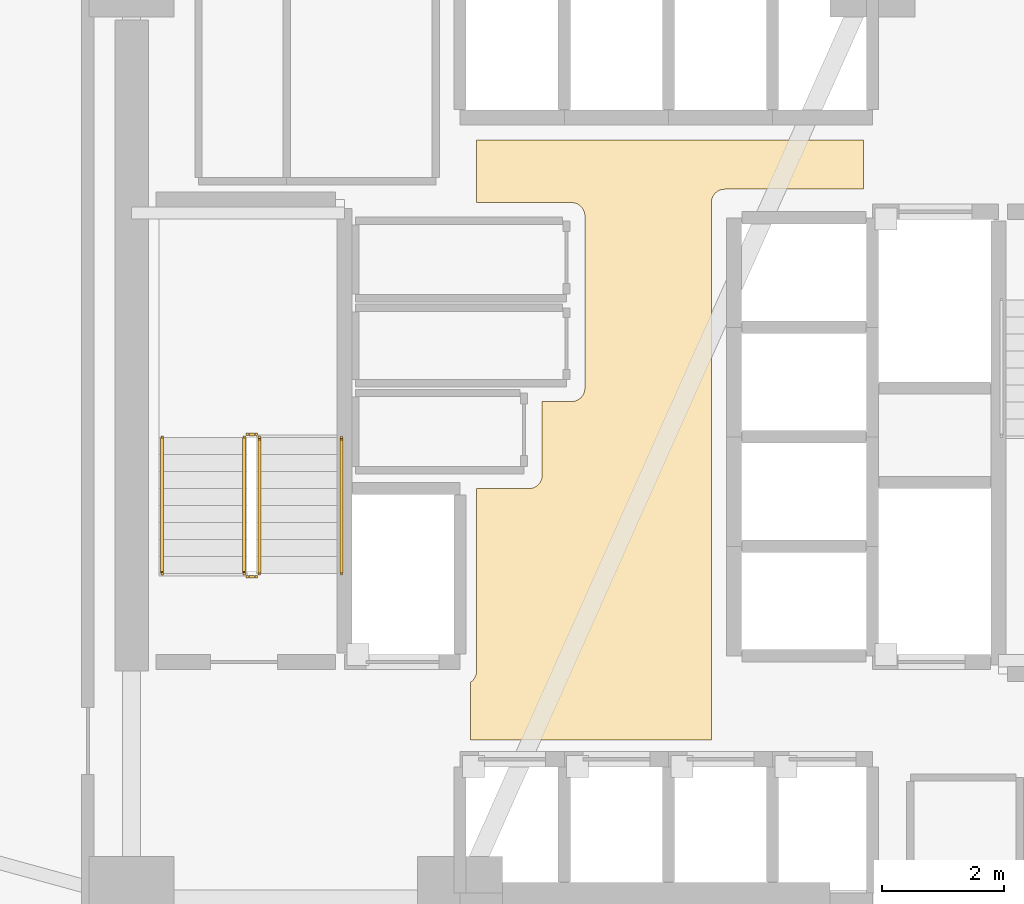
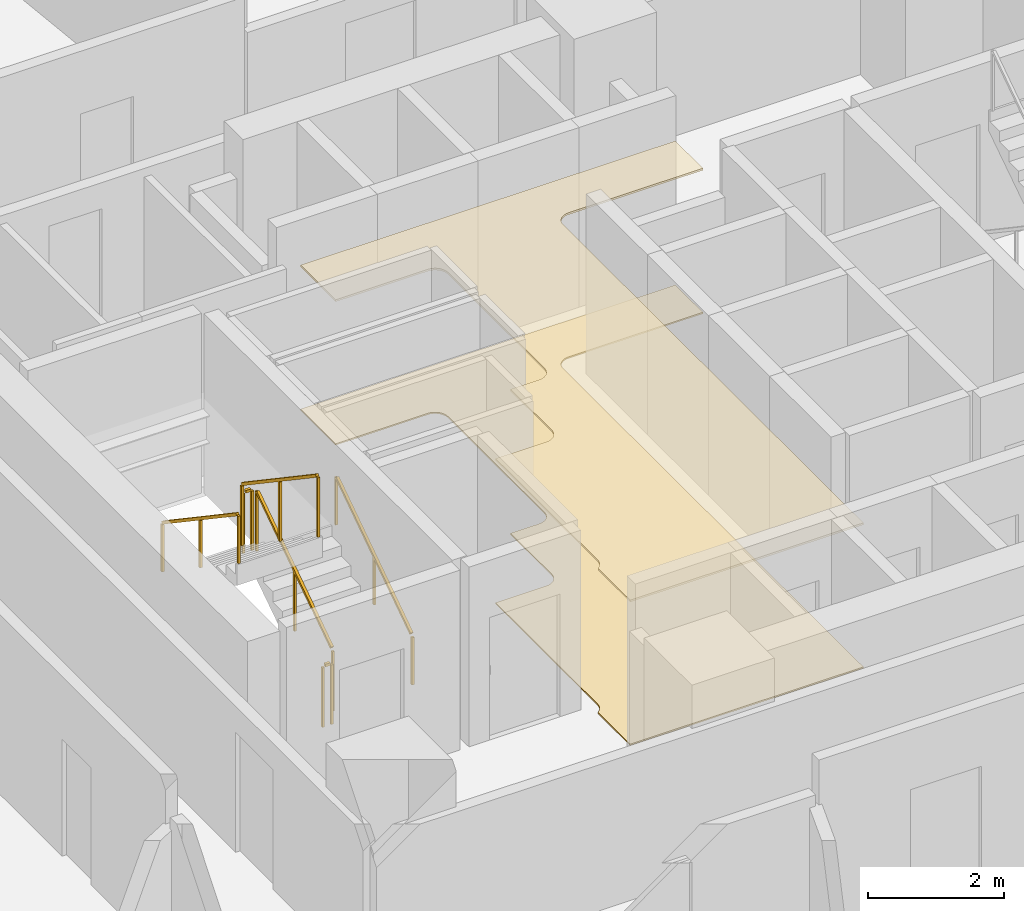
# One storey, part 15 of 18: 6 railings, 2 coverings.
"""IFC4 building model written with IfcOpenShell, lengths in metres."""

from ifc_helpers import new_model, si_unit, direction, frame, origin, origin_2d, place, context, subcontext, project, spatial, polyline, rectangle, outline, extrude, material, layer, layer_set, type_object, element, save


model = new_model("IFC4")

# Units and contexts
model_context = context("Model", 3, precision=1e-05, world=origin(), true_north=direction((0.0, 1.0)))
body_context = subcontext(model_context, "Body", "Model", "MODEL_VIEW")
ifc_project = project(units=[si_unit("LENGTHUNIT", "METRE"), si_unit("AREAUNIT", "SQUARE_METRE"), si_unit("VOLUMEUNIT", "CUBIC_METRE"), si_unit("PLANEANGLEUNIT", "RADIAN"), si_unit("MASSUNIT", "GRAM", prefix="KILO")], contexts=[model_context])

# Site, building, storey
site_placement = place(None, origin())
site = spatial("IfcSite", under=ifc_project, at=site_placement, CompositionType="ELEMENT")
building_placement = place(site_placement, origin())
building = spatial("IfcBuilding", under=site, at=building_placement, Name="Tharavind Bronze Gate", CompositionType="ELEMENT")
storey_placement = place(building_placement, frame((0.0, 0.0, 38.64990234375)))
storey = spatial("IfcBuildingStorey", under=building, at=storey_placement, Name="L08", CompositionType="ELEMENT", Elevation=38.64990234375)

# Coverings
ifc_material_1 = material(Name="Perforated Bronze Acoustic Panel", Category="bronze")
ifc_layer_1 = layer(ifc_material_1, 0.044921875)
ifc_layer_set_1 = layer_set([ifc_layer_1], Name="Perforated Bronze Acoustic Panel")
covering_type_1 = type_object("IfcCoveringType", Name="ACOUSTIC BRONZE BAFFLE CEILING", PredefinedType="CEILING", material=ifc_layer_set_1)
covering_1_placement = place(storey_placement, frame((0.0, 0.0, 2.5751953125)))
element("IfcCovering", 1, at=covering_1_placement, inside=storey, type_object=covering_type_1, Name="L08-C-LL suspended ceiling", PredefinedType="CEILING", context=body_context, shape_type="SweptSolid", body=[
    extrude(outline(polyline([(-3.330078125, -4.97998046875), (0.6298828125, -4.97998046875), (0.6298828125, 3.85009765625), (0.631103515625, 3.87158203125), (0.63427734375, 3.892822265625), (0.639404296875, 3.913818359375), (0.646728515625, 3.93408203125), (0.656005859375, 3.95361328125), (0.6669921875, 3.97216796875), (0.679931640625, 3.989501953125), (0.6943359375, 4.005615234375), (0.71044921875, 4.02001953125), (0.727783203125, 4.032958984375), (0.746337890625, 4.0439453125), (0.765869140625, 4.05322265625), (0.7861328125, 4.060546875), (0.80712890625, 4.06591796875), (0.828369140625, 4.06884765625), (0.85009765625, 4.070068359375), (3.1298828125, 4.070068359375), (3.1298828125, 4.8798828125), (-3.22998046875, 4.8798828125), (-3.22998046875, 3.85009765625), (-1.669921875, 3.85009765625), (-1.6484375, 3.848876953125), (-1.627197265625, 3.845703125), (-1.606201171875, 3.840576171875), (-1.585693359375, 3.833251953125), (-1.56640625, 3.823974609375), (-1.5478515625, 3.81298828125), (-1.530517578125, 3.800048828125), (-1.514404296875, 3.78564453125), (-1.5, 3.76953125), (-1.487060546875, 3.752197265625), (-1.47607421875, 3.733642578125), (-1.466796875, 3.714111328125), (-1.45947265625, 3.69384765625), (-1.4541015625, 3.6728515625), (-1.451171875, 3.651611328125), (-1.449951171875, 3.6298828125), (-1.449951171875, 0.800048828125), (-1.451171875, 0.7783203125), (-1.4541015625, 0.757080078125), (-1.45947265625, 0.736083984375), (-1.466796875, 0.7158203125), (-1.47607421875, 0.6962890625), (-1.487060546875, 0.677734375), (-1.5, 0.660400390625), (-1.514404296875, 0.644287109375), (-1.530517578125, 0.6298828125), (-1.5478515625, 0.6171875), (-1.56640625, 0.60595703125), (-1.585693359375, 0.5966796875), (-1.606201171875, 0.589599609375), (-1.627197265625, 0.584228515625), (-1.6484375, 0.5810546875), (-1.669921875, 0.580078125), (-2.14990234375, 0.580078125), (-2.14990234375, -0.6298828125), (-2.151123046875, -0.651611328125), (-2.154296875, -0.6728515625), (-2.159423828125, -0.69384765625), (-2.166748046875, -0.714111328125), (-2.176025390625, -0.733642578125), (-2.18701171875, -0.752197265625), (-2.199951171875, -0.76953125), (-2.21435546875, -0.78564453125), (-2.23046875, -0.800048828125), (-2.247802734375, -0.81298828125), (-2.266357421875, -0.823974609375), (-2.285888671875, -0.833251953125), (-2.30615234375, -0.840576171875), (-2.3271484375, -0.845703125), (-2.348388671875, -0.848876953125), (-2.3701171875, -0.85009765625), (-3.22998046875, -0.85009765625), (-3.22998046875, -3.85009765625), (-3.231201171875, -3.87158203125), (-3.234130859375, -3.892822265625), (-3.239501953125, -3.913818359375), (-3.24658203125, -3.93408203125), (-3.256103515625, -3.95361328125), (-3.26708984375, -3.97216796875), (-3.27978515625, -3.989501953125), (-3.29443359375, -4.005615234375), (-3.310302734375, -4.02001953125), (-3.327880859375, -4.032958984375), (-3.330078125, -4.0341796875), (-3.330078125, -4.97998046875)])), origin(), (0.0, 0.0, 1.0), 0.034912109375),
])
ifc_material_2 = material(Name="Honed Travertine Limestone", Category="masonry")
ifc_layer_2 = layer(ifc_material_2, 0.030029296875)
ifc_layer_set_2 = layer_set([ifc_layer_2], Name="Honed Travertine Limestone")
covering_type_2 = type_object("IfcCoveringType", Name="HONED LIMESTONE FLOORING", PredefinedType="FLOORING", material=ifc_layer_set_2)
covering_2_placement = place(storey_placement, origin())
element("IfcCovering", 2, at=covering_2_placement, inside=storey, type_object=covering_type_2, Name="L08-C-LL floor finish", PredefinedType="FLOORING", context=body_context, shape_type="SweptSolid", body=[
    extrude(outline(polyline([(-3.330078125, -4.97998046875), (0.6298828125, -4.97998046875), (0.6298828125, 3.85009765625), (0.631103515625, 3.87158203125), (0.63427734375, 3.892822265625), (0.639404296875, 3.913818359375), (0.646728515625, 3.93408203125), (0.656005859375, 3.95361328125), (0.6669921875, 3.97216796875), (0.679931640625, 3.989501953125), (0.6943359375, 4.005615234375), (0.71044921875, 4.02001953125), (0.727783203125, 4.032958984375), (0.746337890625, 4.0439453125), (0.765869140625, 4.05322265625), (0.7861328125, 4.060546875), (0.80712890625, 4.06591796875), (0.828369140625, 4.06884765625), (0.85009765625, 4.070068359375), (3.1298828125, 4.070068359375), (3.1298828125, 4.8798828125), (-3.22998046875, 4.8798828125), (-3.22998046875, 3.85009765625), (-1.669921875, 3.85009765625), (-1.6484375, 3.848876953125), (-1.627197265625, 3.845703125), (-1.606201171875, 3.840576171875), (-1.585693359375, 3.833251953125), (-1.56640625, 3.823974609375), (-1.5478515625, 3.81298828125), (-1.530517578125, 3.800048828125), (-1.514404296875, 3.78564453125), (-1.5, 3.76953125), (-1.487060546875, 3.752197265625), (-1.47607421875, 3.733642578125), (-1.466796875, 3.714111328125), (-1.45947265625, 3.69384765625), (-1.4541015625, 3.6728515625), (-1.451171875, 3.651611328125), (-1.449951171875, 3.6298828125), (-1.449951171875, 0.800048828125), (-1.451171875, 0.7783203125), (-1.4541015625, 0.757080078125), (-1.45947265625, 0.736083984375), (-1.466796875, 0.7158203125), (-1.47607421875, 0.6962890625), (-1.487060546875, 0.677734375), (-1.5, 0.660400390625), (-1.514404296875, 0.644287109375), (-1.530517578125, 0.6298828125), (-1.5478515625, 0.6171875), (-1.56640625, 0.60595703125), (-1.585693359375, 0.5966796875), (-1.606201171875, 0.589599609375), (-1.627197265625, 0.584228515625), (-1.6484375, 0.5810546875), (-1.669921875, 0.580078125), (-2.14990234375, 0.580078125), (-2.14990234375, -0.6298828125), (-2.151123046875, -0.651611328125), (-2.154296875, -0.6728515625), (-2.159423828125, -0.69384765625), (-2.166748046875, -0.714111328125), (-2.176025390625, -0.733642578125), (-2.18701171875, -0.752197265625), (-2.199951171875, -0.76953125), (-2.21435546875, -0.78564453125), (-2.23046875, -0.800048828125), (-2.247802734375, -0.81298828125), (-2.266357421875, -0.823974609375), (-2.285888671875, -0.833251953125), (-2.30615234375, -0.840576171875), (-2.3271484375, -0.845703125), (-2.348388671875, -0.848876953125), (-2.3701171875, -0.85009765625), (-3.22998046875, -0.85009765625), (-3.22998046875, -3.85009765625), (-3.231201171875, -3.87158203125), (-3.234130859375, -3.892822265625), (-3.239501953125, -3.913818359375), (-3.24658203125, -3.93408203125), (-3.256103515625, -3.95361328125), (-3.26708984375, -3.97216796875), (-3.27978515625, -3.989501953125), (-3.29443359375, -4.005615234375), (-3.310302734375, -4.02001953125), (-3.327880859375, -4.032958984375), (-3.330078125, -4.0341796875), (-3.330078125, -4.97998046875)])), origin(), (0.0, 0.0, 1.0), 0.025146484375),
])

# Railings
ifc_material_3 = material(Name="Brushed Bronze Alloy", Category="metal")
railing_type_1 = type_object("IfcRailingType", Name="STAIR BRONZE HANDRAIL 900", PredefinedType="HANDRAIL", material=ifc_material_3)
railing_1_placement = place(storey_placement, frame((-5.449951171875, -2.25, 0.18896484375)))
element("IfcRailing", 3, at=railing_1_placement, inside=storey, type_object=railing_type_1, Name="L08 ST1 stair handrail 1", PredefinedType="HANDRAIL", context=body_context, shape_type="SweptSolid", body=[
    extrude(rectangle(XDim=0.048095703125, YDim=0.048095703125, at=origin_2d()), frame((0.0, 0.026611328125, 0.893798828125), z_axis=(0.0, 0.828979582247, 0.559278868023), x_axis=(-1.0, 0.0, 0.0)), (0.0, 0.0, 1.0), 2.63818359375),
    extrude(rectangle(XDim=0.0400390625, YDim=0.0400390625, at=origin_2d()), origin(), (0.0, 0.0, 1.0), 0.847900390625),
    extrude(rectangle(XDim=0.0400390625, YDim=0.0400390625, at=origin_2d()), frame((0.0, 1.1201171875, 0.755615234375)), (0.0, 0.0, 1.0), 0.847900390625),
    extrude(rectangle(XDim=0.0400390625, YDim=0.0400390625, at=origin_2d()), frame((0.0, 2.239990234375, 1.51123046875)), (0.0, 0.0, 1.0), 0.847900390625),
])
railing_2_placement = place(storey_placement, frame((-8.39990234375, -0.010009765625, 1.888916015625)))
element("IfcRailing", 4, at=railing_2_placement, inside=storey, type_object=railing_type_1, Name="L08 ST1 stair handrail 2", PredefinedType="HANDRAIL", context=body_context, shape_type="SweptSolid", body=[
    extrude(rectangle(XDim=0.048095703125, YDim=0.048095703125, at=origin_2d()), frame((0.0, -0.026611328125, 0.893798828125), z_axis=(0.0, -0.828979582247, 0.559278868023), x_axis=(1.0, 0.0, 0.0)), (0.0, 0.0, 1.0), 2.63818359375),
    extrude(rectangle(XDim=0.0400390625, YDim=0.0400390625, at=origin_2d()), origin(), (0.0, 0.0, 1.0), 0.847900390625),
    extrude(rectangle(XDim=0.0400390625, YDim=0.0400390625, at=origin_2d()), frame((0.0, -1.1201171875, 0.755615234375)), (0.0, 0.0, 1.0), 0.847900390625),
    extrude(rectangle(XDim=0.0400390625, YDim=0.0400390625, at=origin_2d()), frame((0.0, -2.239990234375, 1.51123046875)), (0.0, 0.0, 1.0), 0.847900390625),
])
railing_type_2 = type_object("IfcRailingType", Name="STAIR WELL GUARD RAILING 1120", PredefinedType="GUARDRAIL", material=ifc_material_3)
railing_3_placement = place(storey_placement, frame((-6.800048828125, -2.25, 0.18896484375)))
element("IfcRailing", 5, at=railing_3_placement, inside=storey, type_object=railing_type_2, Name="L08 ST1 stair guard 1", PredefinedType="GUARDRAIL", context=body_context, shape_type="SweptSolid", body=[
    extrude(rectangle(XDim=0.048095703125, YDim=0.048095703125, at=origin_2d()), frame((0.0, 0.026611328125, 1.114013671875), z_axis=(0.0, 0.828979582247, 0.559278868023), x_axis=(-1.0, 0.0, 0.0)), (0.0, 0.0, 1.0), 2.63818359375),
    extrude(rectangle(XDim=0.0400390625, YDim=0.0400390625, at=origin_2d()), origin(), (0.0, 0.0, 1.0), 1.068115234375),
    extrude(rectangle(XDim=0.0400390625, YDim=0.0400390625, at=origin_2d()), frame((0.0, 1.1201171875, 0.755615234375)), (0.0, 0.0, 1.0), 1.068115234375),
    extrude(rectangle(XDim=0.0400390625, YDim=0.0400390625, at=origin_2d()), frame((0.0, 2.239990234375, 1.51123046875)), (0.0, 0.0, 1.0), 1.068115234375),
])
railing_4_placement = place(storey_placement, frame((-6.85009765625, 0.0400390625, 1.7001953125)))
element("IfcRailing", 6, at=railing_4_placement, inside=storey, type_object=railing_type_2, Name="L08 ST1 stair guard 2", PredefinedType="GUARDRAIL", context=body_context, shape_type="SweptSolid", body=[
    extrude(rectangle(XDim=0.048095703125, YDim=0.048095703125, at=origin_2d()), frame((-0.031982421875, 0.0, 1.09619140625), z_axis=(-1.0, 0.0, 0.0), x_axis=(0.0, -1.0, 0.0)), (0.0, 0.0, 1.0), 0.0859375),
    extrude(rectangle(XDim=0.0400390625, YDim=0.0400390625, at=origin_2d()), origin(), (0.0, 0.0, 1.0), 1.068115234375),
    extrude(rectangle(XDim=0.0400390625, YDim=0.0400390625, at=origin_2d()), frame((-0.14990234375, 0.0, 0.0)), (0.0, 0.0, 1.0), 1.068115234375),
])
railing_5_placement = place(storey_placement, frame((-7.050048828125, -0.010009765625, 1.888916015625)))
element("IfcRailing", 7, at=railing_5_placement, inside=storey, type_object=railing_type_2, Name="L08 ST1 stair guard 3", PredefinedType="GUARDRAIL", context=body_context, shape_type="SweptSolid", body=[
    extrude(rectangle(XDim=0.048095703125, YDim=0.048095703125, at=origin_2d()), frame((0.0, -0.026611328125, 1.114013671875), z_axis=(0.0, -0.828979582247, 0.559278868023), x_axis=(1.0, 0.0, 0.0)), (0.0, 0.0, 1.0), 2.63818359375),
    extrude(rectangle(XDim=0.0400390625, YDim=0.0400390625, at=origin_2d()), origin(), (0.0, 0.0, 1.0), 1.068115234375),
    extrude(rectangle(XDim=0.0400390625, YDim=0.0400390625, at=origin_2d()), frame((0.0, -1.1201171875, 0.755615234375)), (0.0, 0.0, 1.0), 1.068115234375),
    extrude(rectangle(XDim=0.0400390625, YDim=0.0400390625, at=origin_2d()), frame((0.0, -2.239990234375, 1.51123046875)), (0.0, 0.0, 1.0), 1.068115234375),
])
railing_6_placement = place(storey_placement, frame((-6.85009765625, -2.300048828125, 0.0)))
element("IfcRailing", 8, at=railing_6_placement, inside=storey, type_object=railing_type_2, Name="L08 ST1 stair guard 4", PredefinedType="GUARDRAIL", context=body_context, shape_type="SweptSolid", body=[
    extrude(rectangle(XDim=0.048095703125, YDim=0.048095703125, at=origin_2d()), frame((-0.031982421875, 0.0, 1.09619140625), z_axis=(-1.0, 0.0, 0.0), x_axis=(0.0, -1.0, 0.0)), (0.0, 0.0, 1.0), 0.0859375),
    extrude(rectangle(XDim=0.0400390625, YDim=0.0400390625, at=origin_2d()), origin(), (0.0, 0.0, 1.0), 1.068115234375),
    extrude(rectangle(XDim=0.0400390625, YDim=0.0400390625, at=origin_2d()), frame((-0.14990234375, 0.0, 0.0)), (0.0, 0.0, 1.0), 1.068115234375),
])

save(model, "model.ifc")
